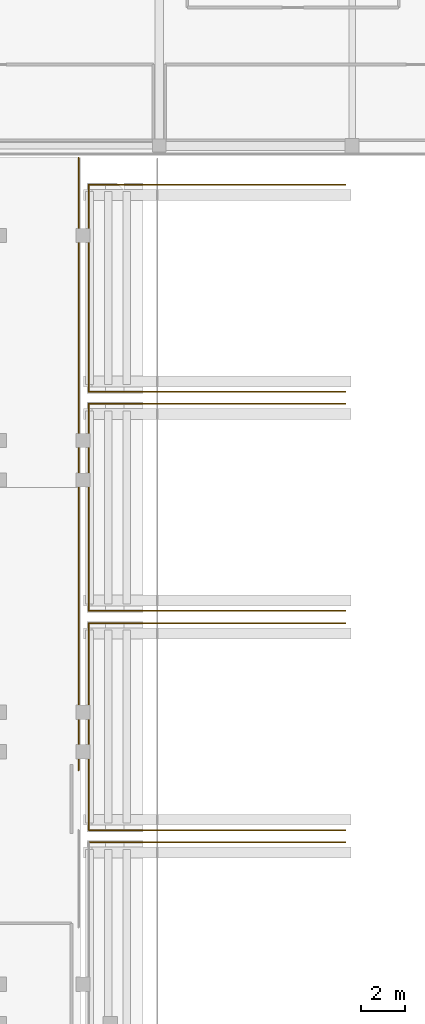
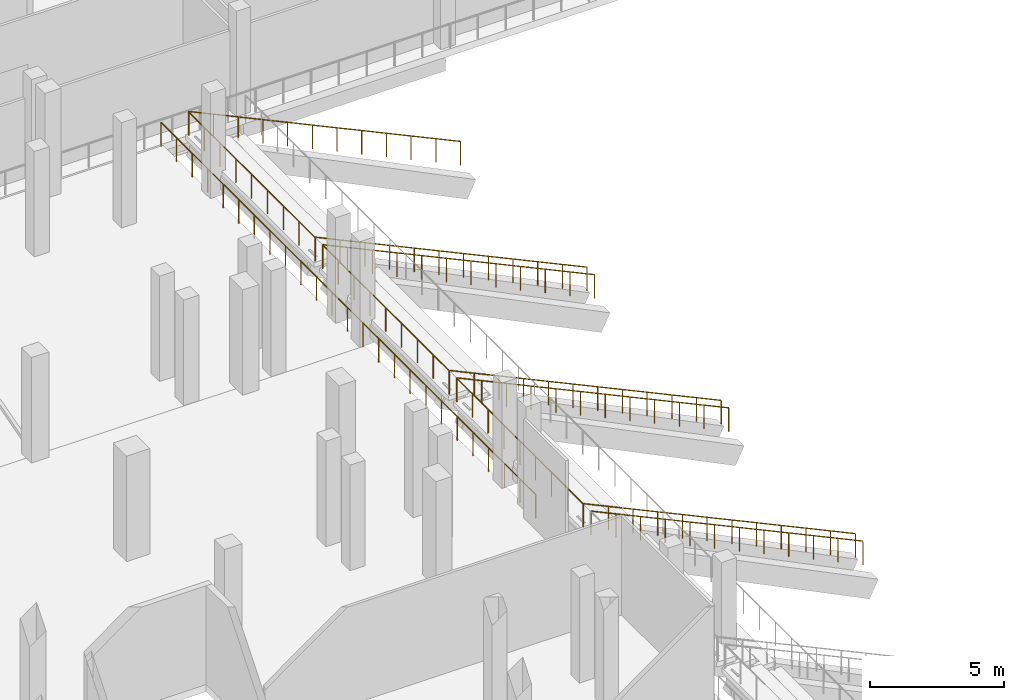
# One storey, part 110 of 129: 12 railings.
"""IFC4 building model written with IfcOpenShell, lengths in metres."""

from ifc_helpers import new_model, si_unit, direction, frame, origin, origin_2d, place, context, subcontext, project, spatial, circle, extrude, material, type_object, element, save


model = new_model("IFC4")

# Units and contexts
model_context = context("Model", 3, precision=1e-05, world=origin(), true_north=direction((0.0, 1.0)))
body_context = subcontext(model_context, "Body", "Model", "MODEL_VIEW")
ifc_project = project(units=[si_unit("LENGTHUNIT", "METRE"), si_unit("AREAUNIT", "SQUARE_METRE"), si_unit("VOLUMEUNIT", "CUBIC_METRE"), si_unit("PLANEANGLEUNIT", "RADIAN"), si_unit("MASSUNIT", "GRAM", prefix="KILO")], contexts=[model_context])

# Site, building, storey
site_placement = place(None, origin())
site = spatial("IfcSite", under=ifc_project, at=site_placement, CompositionType="ELEMENT")
building_placement = place(site_placement, origin())
building = spatial("IfcBuilding", under=site, at=building_placement, Name="Koshinbarg Plaza Stadium", CompositionType="ELEMENT")
storey_placement = place(building_placement, frame((0.0, 0.0, 5.39990234375)))
storey = spatial("IfcBuildingStorey", under=building, at=storey_placement, Name="L01", CompositionType="ELEMENT", Elevation=5.39990234375)

# Railings
ifc_material_1 = material(Name="Toughened laminated glass and stainless steel sightline balustrade", Category="steel")
railing_type_1 = type_object("IfcRailingType", Name="RL-BOWL-1100", PredefinedType="BALUSTRADE", material=ifc_material_1)
railing_1_placement = place(storey_placement, frame((68.719970703125, 111.89990234375, 0.0)))
element("IfcRailing", 1, at=railing_1_placement, inside=storey, type_object=railing_type_1, Name="L01 deck edge safety balustrade 0007", PredefinedType="BALUSTRADE", context=body_context, shape_type="SweptSolid", body=[
    extrude(circle(Radius=0.02392578125, at=origin_2d()), frame((0.0, 0.0, 1.076171875), z_axis=(0.0, -1.0, 0.0), x_axis=(1.0, 0.0, 0.0)), (0.0, 0.0, 1.0), 12.8837890625),
    extrude(circle(Radius=0.02099609375, at=origin_2d()), origin(), (0.0, 0.0, 1.0), 1.052001953125),
    extrude(circle(Radius=0.02099609375, at=origin_2d()), frame((0.0, -1.171142578125, 0.0)), (0.0, 0.0, 1.0), 1.052001953125),
    extrude(circle(Radius=0.02099609375, at=origin_2d()), frame((0.0, -2.342529296875, 0.0)), (0.0, 0.0, 1.0), 1.052001953125),
    extrude(circle(Radius=0.02099609375, at=origin_2d()), frame((0.0, -3.513671875, 0.0)), (0.0, 0.0, 1.0), 1.052001953125),
    extrude(circle(Radius=0.02099609375, at=origin_2d()), frame((0.0, -4.68505859375, 0.0)), (0.0, 0.0, 1.0), 1.052001953125),
    extrude(circle(Radius=0.02099609375, at=origin_2d()), frame((0.0, -5.856201171875, 0.0)), (0.0, 0.0, 1.0), 1.052001953125),
    extrude(circle(Radius=0.02099609375, at=origin_2d()), frame((0.0, -7.027587890625, 0.0)), (0.0, 0.0, 1.0), 1.052001953125),
    extrude(circle(Radius=0.02099609375, at=origin_2d()), frame((0.0, -8.19873046875, 0.0)), (0.0, 0.0, 1.0), 1.052001953125),
    extrude(circle(Radius=0.02099609375, at=origin_2d()), frame((0.0, -9.3701171875, 0.0)), (0.0, 0.0, 1.0), 1.052001953125),
    extrude(circle(Radius=0.02099609375, at=origin_2d()), frame((0.0, -10.541259765625, 0.0)), (0.0, 0.0, 1.0), 1.052001953125),
    extrude(circle(Radius=0.02099609375, at=origin_2d()), frame((0.0, -11.712646484375, 0.0)), (0.0, 0.0, 1.0), 1.052001953125),
    extrude(circle(Radius=0.02099609375, at=origin_2d()), frame((0.0, -12.8837890625, 0.0)), (0.0, 0.0, 1.0), 1.052001953125),
])
railing_2_placement = place(storey_placement, frame((68.719970703125, 126.955078125, 0.0)))
element("IfcRailing", 2, at=railing_2_placement, inside=storey, type_object=railing_type_1, Name="L01 deck edge safety balustrade 0010", PredefinedType="BALUSTRADE", context=body_context, shape_type="SweptSolid", body=[
    extrude(circle(Radius=0.02392578125, at=origin_2d()), frame((0.0, 0.0, 1.076171875), z_axis=(0.0, -1.0, 0.0), x_axis=(1.0, 0.0, 0.0)), (0.0, 0.0, 1.0), 15.05517578125),
    extrude(circle(Radius=0.02099609375, at=origin_2d()), origin(), (0.0, 0.0, 1.0), 1.052001953125),
    extrude(circle(Radius=0.02099609375, at=origin_2d()), frame((0.0, -1.158203125, 0.0)), (0.0, 0.0, 1.0), 1.052001953125),
    extrude(circle(Radius=0.02099609375, at=origin_2d()), frame((0.0, -2.316162109375, 0.0)), (0.0, 0.0, 1.0), 1.052001953125),
    extrude(circle(Radius=0.02099609375, at=origin_2d()), frame((0.0, -3.474365234375, 0.0)), (0.0, 0.0, 1.0), 1.052001953125),
    extrude(circle(Radius=0.02099609375, at=origin_2d()), frame((0.0, -4.63232421875, 0.0)), (0.0, 0.0, 1.0), 1.052001953125),
    extrude(circle(Radius=0.02099609375, at=origin_2d()), frame((0.0, -5.79052734375, 0.0)), (0.0, 0.0, 1.0), 1.052001953125),
    extrude(circle(Radius=0.02099609375, at=origin_2d()), frame((0.0, -6.948486328125, 0.0)), (0.0, 0.0, 1.0), 1.052001953125),
    extrude(circle(Radius=0.02099609375, at=origin_2d()), frame((0.0, -8.106689453125, 0.0)), (0.0, 0.0, 1.0), 1.052001953125),
    extrude(circle(Radius=0.02099609375, at=origin_2d()), frame((0.0, -9.2646484375, 0.0)), (0.0, 0.0, 1.0), 1.052001953125),
    extrude(circle(Radius=0.02099609375, at=origin_2d()), frame((0.0, -10.4228515625, 0.0)), (0.0, 0.0, 1.0), 1.052001953125),
    extrude(circle(Radius=0.02099609375, at=origin_2d()), frame((0.0, -11.580810546875, 0.0)), (0.0, 0.0, 1.0), 1.052001953125),
    extrude(circle(Radius=0.02099609375, at=origin_2d()), frame((0.0, -12.739013671875, 0.0)), (0.0, 0.0, 1.0), 1.052001953125),
    extrude(circle(Radius=0.02099609375, at=origin_2d()), frame((0.0, -13.89697265625, 0.0)), (0.0, 0.0, 1.0), 1.052001953125),
    extrude(circle(Radius=0.02099609375, at=origin_2d()), frame((0.0, -15.05517578125, 0.0)), (0.0, 0.0, 1.0), 1.052001953125),
])
ifc_material_2 = material(Name="Galvanized painted steel guardrail", Category="steel")
railing_type_2 = type_object("IfcRailingType", Name="RL-GUARD-1100", PredefinedType="GUARDRAIL", material=ifc_material_2)
railing_3_placement = place(storey_placement, frame((80.89990234375, 95.719970703125, -4.3798828125)))
element("IfcRailing", 3, at=railing_3_placement, inside=storey, type_object=railing_type_2, Name="LT-W07 stepped aisle guard R", PredefinedType="GUARDRAIL", context=body_context, shape_type="SweptSolid", body=[
    extrude(circle(Radius=0.02392578125, at=origin_2d()), frame((0.0, 0.0, 1.076171875), z_axis=(-0.906183623075, 0.0, 0.422884430158), x_axis=(0.0, -1.0, 0.0)), (0.0, 0.0, 1.0), 12.9111328125),
    extrude(circle(Radius=0.02099609375, at=origin_2d()), origin(), (0.0, 0.0, 1.0), 1.052001953125),
    extrude(circle(Radius=0.02099609375, at=origin_2d()), frame((-1.063720703125, 0.0, 0.496337890625)), (0.0, 0.0, 1.0), 1.052001953125),
    extrude(circle(Radius=0.02099609375, at=origin_2d()), frame((-2.127197265625, 0.0, 0.99267578125)), (0.0, 0.0, 1.0), 1.052001953125),
    extrude(circle(Radius=0.02099609375, at=origin_2d()), frame((-3.19091796875, 0.0, 1.489013671875)), (0.0, 0.0, 1.0), 1.052001953125),
    extrude(circle(Radius=0.02099609375, at=origin_2d()), frame((-4.254638671875, 0.0, 1.9853515625)), (0.0, 0.0, 1.0), 1.052001953125),
    extrude(circle(Radius=0.02099609375, at=origin_2d()), frame((-5.318115234375, 0.0, 2.481689453125)), (0.0, 0.0, 1.0), 1.052001953125),
    extrude(circle(Radius=0.02099609375, at=origin_2d()), frame((-6.3818359375, 0.0, 2.978271484375)), (0.0, 0.0, 1.0), 1.052001953125),
    extrude(circle(Radius=0.02099609375, at=origin_2d()), frame((-7.4453125, 0.0, 3.474609375)), (0.0, 0.0, 1.0), 1.052001953125),
    extrude(circle(Radius=0.02099609375, at=origin_2d()), frame((-8.509033203125, 0.0, 3.970947265625)), (0.0, 0.0, 1.0), 1.052001953125),
    extrude(circle(Radius=0.02099609375, at=origin_2d()), frame((-9.57275390625, 0.0, 4.46728515625)), (0.0, 0.0, 1.0), 1.052001953125),
    extrude(circle(Radius=0.02099609375, at=origin_2d()), frame((-10.63623046875, 0.0, 4.963623046875)), (0.0, 0.0, 1.0), 1.052001953125),
    extrude(circle(Radius=0.02099609375, at=origin_2d()), frame((-11.699951171875, 0.0, 5.4599609375)), (0.0, 0.0, 1.0), 1.052001953125),
])
railing_4_placement = place(storey_placement, frame((69.179931640625, 96.280029296875, 1.080078125)))
element("IfcRailing", 4, at=railing_4_placement, inside=storey, type_object=railing_type_2, Name="LT-W08 rear stand guard", PredefinedType="GUARDRAIL", context=body_context, shape_type="SweptSolid", body=[
    extrude(circle(Radius=0.02392578125, at=origin_2d()), frame((0.0, 0.0, 1.076171875), z_axis=(0.0, 1.0, 0.0), x_axis=(-1.0, 0.0, 0.0)), (0.0, 0.0, 1.0), 9.43994140625),
    extrude(circle(Radius=0.02099609375, at=origin_2d()), origin(), (0.0, 0.0, 1.0), 1.052001953125),
    extrude(circle(Radius=0.02099609375, at=origin_2d()), frame((0.0, 1.179931640625, 0.0)), (0.0, 0.0, 1.0), 1.052001953125),
    extrude(circle(Radius=0.02099609375, at=origin_2d()), frame((0.0, 2.35986328125, 0.0)), (0.0, 0.0, 1.0), 1.052001953125),
    extrude(circle(Radius=0.02099609375, at=origin_2d()), frame((0.0, 3.5400390625, 0.0)), (0.0, 0.0, 1.0), 1.052001953125),
    extrude(circle(Radius=0.02099609375, at=origin_2d()), frame((0.0, 4.719970703125, 0.0)), (0.0, 0.0, 1.0), 1.052001953125),
    extrude(circle(Radius=0.02099609375, at=origin_2d()), frame((0.0, 5.89990234375, 0.0)), (0.0, 0.0, 1.0), 1.052001953125),
    extrude(circle(Radius=0.02099609375, at=origin_2d()), frame((0.0, 7.080078125, 0.0)), (0.0, 0.0, 1.0), 1.052001953125),
    extrude(circle(Radius=0.02099609375, at=origin_2d()), frame((0.0, 8.260009765625, 0.0)), (0.0, 0.0, 1.0), 1.052001953125),
    extrude(circle(Radius=0.02099609375, at=origin_2d()), frame((0.0, 9.43994140625, 0.0)), (0.0, 0.0, 1.0), 1.052001953125),
])
railing_5_placement = place(storey_placement, frame((80.89990234375, 96.280029296875, -4.3798828125)))
element("IfcRailing", 5, at=railing_5_placement, inside=storey, type_object=railing_type_2, Name="LT-W08 stepped aisle guard L", PredefinedType="GUARDRAIL", context=body_context, shape_type="SweptSolid", body=[
    extrude(circle(Radius=0.02392578125, at=origin_2d()), frame((0.0, 0.0, 1.076171875), z_axis=(-0.906183623075, 0.0, 0.422884430158), x_axis=(0.0, -1.0, 0.0)), (0.0, 0.0, 1.0), 12.9111328125),
    extrude(circle(Radius=0.02099609375, at=origin_2d()), origin(), (0.0, 0.0, 1.0), 1.052001953125),
    extrude(circle(Radius=0.02099609375, at=origin_2d()), frame((-1.063720703125, 0.0, 0.496337890625)), (0.0, 0.0, 1.0), 1.052001953125),
    extrude(circle(Radius=0.02099609375, at=origin_2d()), frame((-2.127197265625, 0.0, 0.99267578125)), (0.0, 0.0, 1.0), 1.052001953125),
    extrude(circle(Radius=0.02099609375, at=origin_2d()), frame((-3.19091796875, 0.0, 1.489013671875)), (0.0, 0.0, 1.0), 1.052001953125),
    extrude(circle(Radius=0.02099609375, at=origin_2d()), frame((-4.254638671875, 0.0, 1.9853515625)), (0.0, 0.0, 1.0), 1.052001953125),
    extrude(circle(Radius=0.02099609375, at=origin_2d()), frame((-5.318115234375, 0.0, 2.481689453125)), (0.0, 0.0, 1.0), 1.052001953125),
    extrude(circle(Radius=0.02099609375, at=origin_2d()), frame((-6.3818359375, 0.0, 2.978271484375)), (0.0, 0.0, 1.0), 1.052001953125),
    extrude(circle(Radius=0.02099609375, at=origin_2d()), frame((-7.4453125, 0.0, 3.474609375)), (0.0, 0.0, 1.0), 1.052001953125),
    extrude(circle(Radius=0.02099609375, at=origin_2d()), frame((-8.509033203125, 0.0, 3.970947265625)), (0.0, 0.0, 1.0), 1.052001953125),
    extrude(circle(Radius=0.02099609375, at=origin_2d()), frame((-9.57275390625, 0.0, 4.46728515625)), (0.0, 0.0, 1.0), 1.052001953125),
    extrude(circle(Radius=0.02099609375, at=origin_2d()), frame((-10.63623046875, 0.0, 4.963623046875)), (0.0, 0.0, 1.0), 1.052001953125),
    extrude(circle(Radius=0.02099609375, at=origin_2d()), frame((-11.699951171875, 0.0, 5.4599609375)), (0.0, 0.0, 1.0), 1.052001953125),
])
railing_6_placement = place(storey_placement, frame((80.89990234375, 105.719970703125, -4.3798828125)))
element("IfcRailing", 6, at=railing_6_placement, inside=storey, type_object=railing_type_2, Name="LT-W08 stepped aisle guard R", PredefinedType="GUARDRAIL", context=body_context, shape_type="SweptSolid", body=[
    extrude(circle(Radius=0.02392578125, at=origin_2d()), frame((0.0, 0.0, 1.076171875), z_axis=(-0.906183623075, 0.0, 0.422884430158), x_axis=(0.0, -1.0, 0.0)), (0.0, 0.0, 1.0), 12.9111328125),
    extrude(circle(Radius=0.02099609375, at=origin_2d()), origin(), (0.0, 0.0, 1.0), 1.052001953125),
    extrude(circle(Radius=0.02099609375, at=origin_2d()), frame((-1.063720703125, 0.0, 0.496337890625)), (0.0, 0.0, 1.0), 1.052001953125),
    extrude(circle(Radius=0.02099609375, at=origin_2d()), frame((-2.127197265625, 0.0, 0.99267578125)), (0.0, 0.0, 1.0), 1.052001953125),
    extrude(circle(Radius=0.02099609375, at=origin_2d()), frame((-3.19091796875, 0.0, 1.489013671875)), (0.0, 0.0, 1.0), 1.052001953125),
    extrude(circle(Radius=0.02099609375, at=origin_2d()), frame((-4.254638671875, 0.0, 1.9853515625)), (0.0, 0.0, 1.0), 1.052001953125),
    extrude(circle(Radius=0.02099609375, at=origin_2d()), frame((-5.318115234375, 0.0, 2.481689453125)), (0.0, 0.0, 1.0), 1.052001953125),
    extrude(circle(Radius=0.02099609375, at=origin_2d()), frame((-6.3818359375, 0.0, 2.978271484375)), (0.0, 0.0, 1.0), 1.052001953125),
    extrude(circle(Radius=0.02099609375, at=origin_2d()), frame((-7.4453125, 0.0, 3.474609375)), (0.0, 0.0, 1.0), 1.052001953125),
    extrude(circle(Radius=0.02099609375, at=origin_2d()), frame((-8.509033203125, 0.0, 3.970947265625)), (0.0, 0.0, 1.0), 1.052001953125),
    extrude(circle(Radius=0.02099609375, at=origin_2d()), frame((-9.57275390625, 0.0, 4.46728515625)), (0.0, 0.0, 1.0), 1.052001953125),
    extrude(circle(Radius=0.02099609375, at=origin_2d()), frame((-10.63623046875, 0.0, 4.963623046875)), (0.0, 0.0, 1.0), 1.052001953125),
    extrude(circle(Radius=0.02099609375, at=origin_2d()), frame((-11.699951171875, 0.0, 5.4599609375)), (0.0, 0.0, 1.0), 1.052001953125),
])
railing_7_placement = place(storey_placement, frame((69.179931640625, 106.280029296875, 1.080078125)))
element("IfcRailing", 7, at=railing_7_placement, inside=storey, type_object=railing_type_2, Name="LT-W09 rear stand guard", PredefinedType="GUARDRAIL", context=body_context, shape_type="SweptSolid", body=[
    extrude(circle(Radius=0.02392578125, at=origin_2d()), frame((0.0, 0.0, 1.076171875), z_axis=(0.0, 1.0, 0.0), x_axis=(-1.0, 0.0, 0.0)), (0.0, 0.0, 1.0), 9.43994140625),
    extrude(circle(Radius=0.02099609375, at=origin_2d()), origin(), (0.0, 0.0, 1.0), 1.052001953125),
    extrude(circle(Radius=0.02099609375, at=origin_2d()), frame((0.0, 1.179931640625, 0.0)), (0.0, 0.0, 1.0), 1.052001953125),
    extrude(circle(Radius=0.02099609375, at=origin_2d()), frame((0.0, 2.35986328125, 0.0)), (0.0, 0.0, 1.0), 1.052001953125),
    extrude(circle(Radius=0.02099609375, at=origin_2d()), frame((0.0, 3.5400390625, 0.0)), (0.0, 0.0, 1.0), 1.052001953125),
    extrude(circle(Radius=0.02099609375, at=origin_2d()), frame((0.0, 4.719970703125, 0.0)), (0.0, 0.0, 1.0), 1.052001953125),
    extrude(circle(Radius=0.02099609375, at=origin_2d()), frame((0.0, 5.89990234375, 0.0)), (0.0, 0.0, 1.0), 1.052001953125),
    extrude(circle(Radius=0.02099609375, at=origin_2d()), frame((0.0, 7.080078125, 0.0)), (0.0, 0.0, 1.0), 1.052001953125),
    extrude(circle(Radius=0.02099609375, at=origin_2d()), frame((0.0, 8.260009765625, 0.0)), (0.0, 0.0, 1.0), 1.052001953125),
    extrude(circle(Radius=0.02099609375, at=origin_2d()), frame((0.0, 9.43994140625, 0.0)), (0.0, 0.0, 1.0), 1.052001953125),
])
railing_8_placement = place(storey_placement, frame((80.89990234375, 106.280029296875, -4.3798828125)))
element("IfcRailing", 8, at=railing_8_placement, inside=storey, type_object=railing_type_2, Name="LT-W09 stepped aisle guard L", PredefinedType="GUARDRAIL", context=body_context, shape_type="SweptSolid", body=[
    extrude(circle(Radius=0.02392578125, at=origin_2d()), frame((0.0, 0.0, 1.076171875), z_axis=(-0.906183623075, 0.0, 0.422884430158), x_axis=(0.0, -1.0, 0.0)), (0.0, 0.0, 1.0), 12.9111328125),
    extrude(circle(Radius=0.02099609375, at=origin_2d()), origin(), (0.0, 0.0, 1.0), 1.052001953125),
    extrude(circle(Radius=0.02099609375, at=origin_2d()), frame((-1.063720703125, 0.0, 0.496337890625)), (0.0, 0.0, 1.0), 1.052001953125),
    extrude(circle(Radius=0.02099609375, at=origin_2d()), frame((-2.127197265625, 0.0, 0.99267578125)), (0.0, 0.0, 1.0), 1.052001953125),
    extrude(circle(Radius=0.02099609375, at=origin_2d()), frame((-3.19091796875, 0.0, 1.489013671875)), (0.0, 0.0, 1.0), 1.052001953125),
    extrude(circle(Radius=0.02099609375, at=origin_2d()), frame((-4.254638671875, 0.0, 1.9853515625)), (0.0, 0.0, 1.0), 1.052001953125),
    extrude(circle(Radius=0.02099609375, at=origin_2d()), frame((-5.318115234375, 0.0, 2.481689453125)), (0.0, 0.0, 1.0), 1.052001953125),
    extrude(circle(Radius=0.02099609375, at=origin_2d()), frame((-6.3818359375, 0.0, 2.978271484375)), (0.0, 0.0, 1.0), 1.052001953125),
    extrude(circle(Radius=0.02099609375, at=origin_2d()), frame((-7.4453125, 0.0, 3.474609375)), (0.0, 0.0, 1.0), 1.052001953125),
    extrude(circle(Radius=0.02099609375, at=origin_2d()), frame((-8.509033203125, 0.0, 3.970947265625)), (0.0, 0.0, 1.0), 1.052001953125),
    extrude(circle(Radius=0.02099609375, at=origin_2d()), frame((-9.57275390625, 0.0, 4.46728515625)), (0.0, 0.0, 1.0), 1.052001953125),
    extrude(circle(Radius=0.02099609375, at=origin_2d()), frame((-10.63623046875, 0.0, 4.963623046875)), (0.0, 0.0, 1.0), 1.052001953125),
    extrude(circle(Radius=0.02099609375, at=origin_2d()), frame((-11.699951171875, 0.0, 5.4599609375)), (0.0, 0.0, 1.0), 1.052001953125),
])
railing_9_placement = place(storey_placement, frame((80.89990234375, 115.719970703125, -4.3798828125)))
element("IfcRailing", 9, at=railing_9_placement, inside=storey, type_object=railing_type_2, Name="LT-W09 stepped aisle guard R", PredefinedType="GUARDRAIL", context=body_context, shape_type="SweptSolid", body=[
    extrude(circle(Radius=0.02392578125, at=origin_2d()), frame((0.0, 0.0, 1.076171875), z_axis=(-0.906183623075, 0.0, 0.422884430158), x_axis=(0.0, -1.0, 0.0)), (0.0, 0.0, 1.0), 12.9111328125),
    extrude(circle(Radius=0.02099609375, at=origin_2d()), origin(), (0.0, 0.0, 1.0), 1.052001953125),
    extrude(circle(Radius=0.02099609375, at=origin_2d()), frame((-1.063720703125, 0.0, 0.496337890625)), (0.0, 0.0, 1.0), 1.052001953125),
    extrude(circle(Radius=0.02099609375, at=origin_2d()), frame((-2.127197265625, 0.0, 0.99267578125)), (0.0, 0.0, 1.0), 1.052001953125),
    extrude(circle(Radius=0.02099609375, at=origin_2d()), frame((-3.19091796875, 0.0, 1.489013671875)), (0.0, 0.0, 1.0), 1.052001953125),
    extrude(circle(Radius=0.02099609375, at=origin_2d()), frame((-4.254638671875, 0.0, 1.9853515625)), (0.0, 0.0, 1.0), 1.052001953125),
    extrude(circle(Radius=0.02099609375, at=origin_2d()), frame((-5.318115234375, 0.0, 2.481689453125)), (0.0, 0.0, 1.0), 1.052001953125),
    extrude(circle(Radius=0.02099609375, at=origin_2d()), frame((-6.3818359375, 0.0, 2.978271484375)), (0.0, 0.0, 1.0), 1.052001953125),
    extrude(circle(Radius=0.02099609375, at=origin_2d()), frame((-7.4453125, 0.0, 3.474609375)), (0.0, 0.0, 1.0), 1.052001953125),
    extrude(circle(Radius=0.02099609375, at=origin_2d()), frame((-8.509033203125, 0.0, 3.970947265625)), (0.0, 0.0, 1.0), 1.052001953125),
    extrude(circle(Radius=0.02099609375, at=origin_2d()), frame((-9.57275390625, 0.0, 4.46728515625)), (0.0, 0.0, 1.0), 1.052001953125),
    extrude(circle(Radius=0.02099609375, at=origin_2d()), frame((-10.63623046875, 0.0, 4.963623046875)), (0.0, 0.0, 1.0), 1.052001953125),
    extrude(circle(Radius=0.02099609375, at=origin_2d()), frame((-11.699951171875, 0.0, 5.4599609375)), (0.0, 0.0, 1.0), 1.052001953125),
])
railing_10_placement = place(storey_placement, frame((69.179931640625, 116.280029296875, 1.080078125)))
element("IfcRailing", 10, at=railing_10_placement, inside=storey, type_object=railing_type_2, Name="LT-W10 rear stand guard", PredefinedType="GUARDRAIL", context=body_context, shape_type="SweptSolid", body=[
    extrude(circle(Radius=0.02392578125, at=origin_2d()), frame((0.0, 0.0, 1.076171875), z_axis=(0.0, 1.0, 0.0), x_axis=(-1.0, 0.0, 0.0)), (0.0, 0.0, 1.0), 9.43994140625),
    extrude(circle(Radius=0.02099609375, at=origin_2d()), origin(), (0.0, 0.0, 1.0), 1.052001953125),
    extrude(circle(Radius=0.02099609375, at=origin_2d()), frame((0.0, 1.179931640625, 0.0)), (0.0, 0.0, 1.0), 1.052001953125),
    extrude(circle(Radius=0.02099609375, at=origin_2d()), frame((0.0, 2.35986328125, 0.0)), (0.0, 0.0, 1.0), 1.052001953125),
    extrude(circle(Radius=0.02099609375, at=origin_2d()), frame((0.0, 3.5400390625, 0.0)), (0.0, 0.0, 1.0), 1.052001953125),
    extrude(circle(Radius=0.02099609375, at=origin_2d()), frame((0.0, 4.719970703125, 0.0)), (0.0, 0.0, 1.0), 1.052001953125),
    extrude(circle(Radius=0.02099609375, at=origin_2d()), frame((0.0, 5.89990234375, 0.0)), (0.0, 0.0, 1.0), 1.052001953125),
    extrude(circle(Radius=0.02099609375, at=origin_2d()), frame((0.0, 7.080078125, 0.0)), (0.0, 0.0, 1.0), 1.052001953125),
    extrude(circle(Radius=0.02099609375, at=origin_2d()), frame((0.0, 8.260009765625, 0.0)), (0.0, 0.0, 1.0), 1.052001953125),
    extrude(circle(Radius=0.02099609375, at=origin_2d()), frame((0.0, 9.43994140625, 0.0)), (0.0, 0.0, 1.0), 1.052001953125),
])
railing_11_placement = place(storey_placement, frame((80.89990234375, 116.280029296875, -4.3798828125)))
element("IfcRailing", 11, at=railing_11_placement, inside=storey, type_object=railing_type_2, Name="LT-W10 stepped aisle guard L", PredefinedType="GUARDRAIL", context=body_context, shape_type="SweptSolid", body=[
    extrude(circle(Radius=0.02392578125, at=origin_2d()), frame((0.0, 0.0, 1.076171875), z_axis=(-0.906183623075, 0.0, 0.422884430158), x_axis=(0.0, -1.0, 0.0)), (0.0, 0.0, 1.0), 12.9111328125),
    extrude(circle(Radius=0.02099609375, at=origin_2d()), origin(), (0.0, 0.0, 1.0), 1.052001953125),
    extrude(circle(Radius=0.02099609375, at=origin_2d()), frame((-1.063720703125, 0.0, 0.496337890625)), (0.0, 0.0, 1.0), 1.052001953125),
    extrude(circle(Radius=0.02099609375, at=origin_2d()), frame((-2.127197265625, 0.0, 0.99267578125)), (0.0, 0.0, 1.0), 1.052001953125),
    extrude(circle(Radius=0.02099609375, at=origin_2d()), frame((-3.19091796875, 0.0, 1.489013671875)), (0.0, 0.0, 1.0), 1.052001953125),
    extrude(circle(Radius=0.02099609375, at=origin_2d()), frame((-4.254638671875, 0.0, 1.9853515625)), (0.0, 0.0, 1.0), 1.052001953125),
    extrude(circle(Radius=0.02099609375, at=origin_2d()), frame((-5.318115234375, 0.0, 2.481689453125)), (0.0, 0.0, 1.0), 1.052001953125),
    extrude(circle(Radius=0.02099609375, at=origin_2d()), frame((-6.3818359375, 0.0, 2.978271484375)), (0.0, 0.0, 1.0), 1.052001953125),
    extrude(circle(Radius=0.02099609375, at=origin_2d()), frame((-7.4453125, 0.0, 3.474609375)), (0.0, 0.0, 1.0), 1.052001953125),
    extrude(circle(Radius=0.02099609375, at=origin_2d()), frame((-8.509033203125, 0.0, 3.970947265625)), (0.0, 0.0, 1.0), 1.052001953125),
    extrude(circle(Radius=0.02099609375, at=origin_2d()), frame((-9.57275390625, 0.0, 4.46728515625)), (0.0, 0.0, 1.0), 1.052001953125),
    extrude(circle(Radius=0.02099609375, at=origin_2d()), frame((-10.63623046875, 0.0, 4.963623046875)), (0.0, 0.0, 1.0), 1.052001953125),
    extrude(circle(Radius=0.02099609375, at=origin_2d()), frame((-11.699951171875, 0.0, 5.4599609375)), (0.0, 0.0, 1.0), 1.052001953125),
])
railing_12_placement = place(storey_placement, frame((80.89990234375, 125.719970703125, -4.3798828125)))
element("IfcRailing", 12, at=railing_12_placement, inside=storey, type_object=railing_type_2, Name="LT-W10 stepped aisle guard R", PredefinedType="GUARDRAIL", context=body_context, shape_type="SweptSolid", body=[
    extrude(circle(Radius=0.02392578125, at=origin_2d()), frame((0.0, 0.0, 1.076171875), z_axis=(-0.906183623075, 0.0, 0.422884430158), x_axis=(0.0, -1.0, 0.0)), (0.0, 0.0, 1.0), 12.9111328125),
    extrude(circle(Radius=0.02099609375, at=origin_2d()), origin(), (0.0, 0.0, 1.0), 1.052001953125),
    extrude(circle(Radius=0.02099609375, at=origin_2d()), frame((-1.063720703125, 0.0, 0.496337890625)), (0.0, 0.0, 1.0), 1.052001953125),
    extrude(circle(Radius=0.02099609375, at=origin_2d()), frame((-2.127197265625, 0.0, 0.99267578125)), (0.0, 0.0, 1.0), 1.052001953125),
    extrude(circle(Radius=0.02099609375, at=origin_2d()), frame((-3.19091796875, 0.0, 1.489013671875)), (0.0, 0.0, 1.0), 1.052001953125),
    extrude(circle(Radius=0.02099609375, at=origin_2d()), frame((-4.254638671875, 0.0, 1.9853515625)), (0.0, 0.0, 1.0), 1.052001953125),
    extrude(circle(Radius=0.02099609375, at=origin_2d()), frame((-5.318115234375, 0.0, 2.481689453125)), (0.0, 0.0, 1.0), 1.052001953125),
    extrude(circle(Radius=0.02099609375, at=origin_2d()), frame((-6.3818359375, 0.0, 2.978271484375)), (0.0, 0.0, 1.0), 1.052001953125),
    extrude(circle(Radius=0.02099609375, at=origin_2d()), frame((-7.4453125, 0.0, 3.474609375)), (0.0, 0.0, 1.0), 1.052001953125),
    extrude(circle(Radius=0.02099609375, at=origin_2d()), frame((-8.509033203125, 0.0, 3.970947265625)), (0.0, 0.0, 1.0), 1.052001953125),
    extrude(circle(Radius=0.02099609375, at=origin_2d()), frame((-9.57275390625, 0.0, 4.46728515625)), (0.0, 0.0, 1.0), 1.052001953125),
    extrude(circle(Radius=0.02099609375, at=origin_2d()), frame((-10.63623046875, 0.0, 4.963623046875)), (0.0, 0.0, 1.0), 1.052001953125),
    extrude(circle(Radius=0.02099609375, at=origin_2d()), frame((-11.699951171875, 0.0, 5.4599609375)), (0.0, 0.0, 1.0), 1.052001953125),
])

save(model, "model.ifc")
